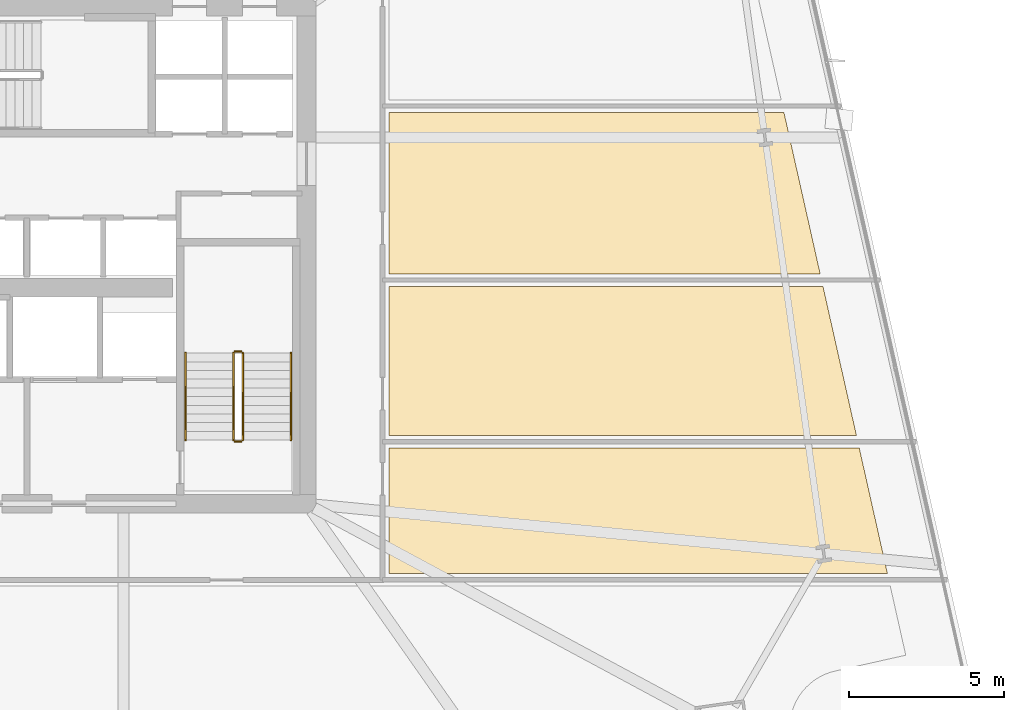
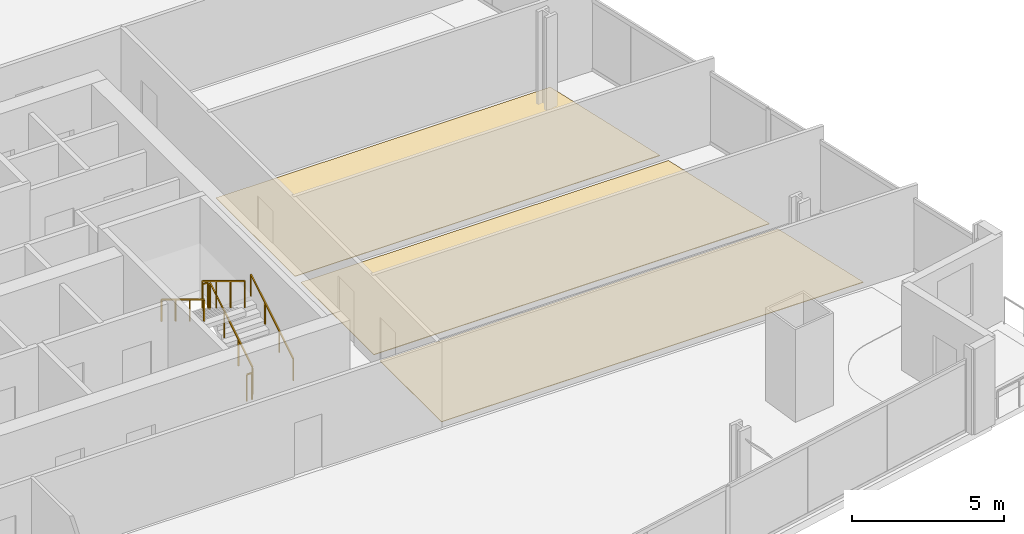
# One storey, part 30 of 32: 6 railings, 3 coverings.
"""IFC4 building model written with IfcOpenShell, lengths in metres."""

from ifc_helpers import new_model, si_unit, direction, frame, origin, origin_2d, place, context, subcontext, project, spatial, polyline, rectangle, outline, extrude, material, layer, layer_set, type_object, element, save


model = new_model("IFC4")

# Units and contexts
model_context = context("Model", 3, precision=1e-05, world=origin(), true_north=direction((0.0, 1.0)))
body_context = subcontext(model_context, "Body", "Model", "MODEL_VIEW")
ifc_project = project(units=[si_unit("LENGTHUNIT", "METRE"), si_unit("AREAUNIT", "SQUARE_METRE"), si_unit("VOLUMEUNIT", "CUBIC_METRE"), si_unit("PLANEANGLEUNIT", "RADIAN"), si_unit("MASSUNIT", "GRAM", prefix="KILO")], contexts=[model_context])

# Site, building, storey
site_placement = place(None, origin())
site = spatial("IfcSite", under=ifc_project, at=site_placement, CompositionType="ELEMENT")
building_placement = place(site_placement, origin())
building = spatial("IfcBuilding", under=site, at=building_placement, Name="Haldenkirk Collegiate Tower", CompositionType="ELEMENT")
storey_placement = place(building_placement, frame((0.0, 0.0, 70.199951171875)))
storey = spatial("IfcBuildingStorey", under=building, at=storey_placement, Name="L16", CompositionType="ELEMENT", Elevation=70.199951171875)

# Coverings
ifc_material_1 = material(Name="Polished collegiate terrazzo", Category="concrete")
ifc_layer_1 = layer(ifc_material_1, 0.02490234375)
ifc_layer_set_1 = layer_set([ifc_layer_1], Name="Polished collegiate terrazzo")
covering_type_1 = type_object("IfcCoveringType", Name="COV-FLOOR-TERRAZZO", PredefinedType="FLOORING", material=ifc_layer_set_1)
covering_1_placement = place(storey_placement, origin())
element("IfcCovering", 1, at=covering_1_placement, inside=storey, type_object=covering_type_1, Name="L16 academic room finish 08", PredefinedType="FLOORING", context=body_context, shape_type="SweptSolid", body=[
    extrude(outline(polyline([(62.6982421875, 20.199951171875), (47.64990234375, 20.199951171875), (47.64990234375, 25.0), (61.620849609375, 25.0), (62.6982421875, 20.199951171875)])), origin(), (0.0, 0.0, 1.0), 0.025146484375),
])
ifc_material_2 = material(Name="Engineered collegiate oak acoustic flooring", Category="wood")
ifc_layer_2 = layer(ifc_material_2, 0.02197265625)
ifc_layer_set_2 = layer_set([ifc_layer_2], Name="Engineered collegiate oak acoustic flooring")
covering_type_2 = type_object("IfcCoveringType", Name="COV-FLOOR-TIMBER", PredefinedType="FLOORING", material=ifc_layer_set_2)
covering_2_placement = place(storey_placement, origin())
element("IfcCovering", 2, at=covering_2_placement, inside=storey, type_object=covering_type_2, Name="L16 academic room finish 07", PredefinedType="FLOORING", context=body_context, shape_type="SweptSolid", body=[
    extrude(outline(polyline([(63.697021484375, 15.75), (47.64990234375, 15.75), (47.64990234375, 19.800048828125), (62.7880859375, 19.800048828125), (63.697021484375, 15.75)])), origin(), (0.0, 0.0, 1.0), 0.02197265625),
])
covering_3_placement = place(storey_placement, origin())
element("IfcCovering", 3, at=covering_3_placement, inside=storey, type_object=covering_type_2, Name="L16 academic room finish 09", PredefinedType="FLOORING", context=body_context, shape_type="SweptSolid", body=[
    extrude(outline(polyline([(61.53125, 25.39990234375), (47.64990234375, 25.39990234375), (47.64990234375, 30.60009765625), (60.364013671875, 30.60009765625), (61.53125, 25.39990234375)])), origin(), (0.0, 0.0, 1.0), 0.02197265625),
])

# Railings
ifc_material_3 = material(Name="Painted architectural tubular steel", Category="steel")
railing_type_1 = type_object("IfcRailingType", Name="RLG-STAIR-GUARD-1100", PredefinedType="BALUSTRADE", material=ifc_material_3)
railing_1_placement = place(storey_placement, frame((42.949951171875, 20.050048828125, 0.17041015625)))
element("IfcRailing", 4, at=railing_1_placement, inside=storey, type_object=railing_type_1, Name="L16 ST-2 stair guard 1", PredefinedType="BALUSTRADE", context=body_context, shape_type="SweptSolid", body=[
    extrude(rectangle(XDim=0.048095703125, YDim=0.048095703125, at=origin_2d()), frame((0.0, 0.0, 1.076171875), z_axis=(0.0, 0.854169791009, 0.51999420009), x_axis=(-1.0, 0.0, 0.0)), (0.0, 0.0, 1.0), 3.278076171875),
    extrude(rectangle(XDim=0.0419921875, YDim=0.0419921875, at=origin_2d()), origin(), (0.0, 0.0, 1.0), 1.052001953125),
    extrude(rectangle(XDim=0.0419921875, YDim=0.0419921875, at=origin_2d()), frame((0.0, 0.933349609375, 0.568115234375)), (0.0, 0.0, 1.0), 1.052001953125),
    extrude(rectangle(XDim=0.0419921875, YDim=0.0419921875, at=origin_2d()), frame((0.0, 1.86669921875, 1.136474609375)), (0.0, 0.0, 1.0), 1.052001953125),
    extrude(rectangle(XDim=0.0419921875, YDim=0.0419921875, at=origin_2d()), frame((0.0, 2.800048828125, 1.70458984375)), (0.0, 0.0, 1.0), 1.052001953125),
])
railing_2_placement = place(storey_placement, frame((42.89990234375, 22.89990234375, 1.875)))
element("IfcRailing", 5, at=railing_2_placement, inside=storey, type_object=railing_type_1, Name="L16 ST-2 stair guard 2", PredefinedType="BALUSTRADE", context=body_context, shape_type="SweptSolid", body=[
    extrude(rectangle(XDim=0.048095703125, YDim=0.048095703125, at=origin_2d()), frame((0.0, 0.0, 1.076171875), z_axis=(-1.0, 0.0, 0.0), x_axis=(0.0, -1.0, 0.0)), (0.0, 0.0, 1.0), 0.199951171875),
    extrude(rectangle(XDim=0.0419921875, YDim=0.0419921875, at=origin_2d()), origin(), (0.0, 0.0, 1.0), 1.052001953125),
    extrude(rectangle(XDim=0.0419921875, YDim=0.0419921875, at=origin_2d()), frame((-0.199951171875, 0.0, 0.0)), (0.0, 0.0, 1.0), 1.052001953125),
])
railing_3_placement = place(storey_placement, frame((42.64990234375, 22.85009765625, 2.04541015625)))
element("IfcRailing", 6, at=railing_3_placement, inside=storey, type_object=railing_type_1, Name="L16 ST-2 stair guard 3", PredefinedType="BALUSTRADE", context=body_context, shape_type="SweptSolid", body=[
    extrude(rectangle(XDim=0.048095703125, YDim=0.048095703125, at=origin_2d()), frame((0.0, 0.0, 1.076171875), z_axis=(0.0, -0.854169791009, 0.51999420009), x_axis=(1.0, 0.0, 0.0)), (0.0, 0.0, 1.0), 3.278076171875),
    extrude(rectangle(XDim=0.0419921875, YDim=0.0419921875, at=origin_2d()), origin(), (0.0, 0.0, 1.0), 1.052001953125),
    extrude(rectangle(XDim=0.0419921875, YDim=0.0419921875, at=origin_2d()), frame((0.0, -0.933349609375, 0.568115234375)), (0.0, 0.0, 1.0), 1.052001953125),
    extrude(rectangle(XDim=0.0419921875, YDim=0.0419921875, at=origin_2d()), frame((0.0, -1.86669921875, 1.136474609375)), (0.0, 0.0, 1.0), 1.052001953125),
    extrude(rectangle(XDim=0.0419921875, YDim=0.0419921875, at=origin_2d()), frame((0.0, -2.800048828125, 1.70458984375)), (0.0, 0.0, 1.0), 1.052001953125),
])
railing_4_placement = place(storey_placement, frame((42.89990234375, 20.0, 0.0)))
element("IfcRailing", 7, at=railing_4_placement, inside=storey, type_object=railing_type_1, Name="L16 ST-2 stair guard 4", PredefinedType="BALUSTRADE", context=body_context, shape_type="SweptSolid", body=[
    extrude(rectangle(XDim=0.048095703125, YDim=0.048095703125, at=origin_2d()), frame((0.0, 0.0, 1.076171875), z_axis=(-1.0, 0.0, 0.0), x_axis=(0.0, -1.0, 0.0)), (0.0, 0.0, 1.0), 0.199951171875),
    extrude(rectangle(XDim=0.0419921875, YDim=0.0419921875, at=origin_2d()), origin(), (0.0, 0.0, 1.0), 1.052001953125),
    extrude(rectangle(XDim=0.0419921875, YDim=0.0419921875, at=origin_2d()), frame((-0.199951171875, 0.0, 0.0)), (0.0, 0.0, 1.0), 1.052001953125),
])
railing_type_2 = type_object("IfcRailingType", Name="RLG-STAIR-HANDRAIL-900", PredefinedType="HANDRAIL", material=ifc_material_3)
railing_5_placement = place(storey_placement, frame((44.5, 20.050048828125, 0.17041015625)))
element("IfcRailing", 8, at=railing_5_placement, inside=storey, type_object=railing_type_2, Name="L16 ST-2 stair handrail 1", PredefinedType="HANDRAIL", context=body_context, shape_type="SweptSolid", body=[
    extrude(rectangle(XDim=0.048095703125, YDim=0.048095703125, at=origin_2d()), frame((0.0, 0.0, 0.8759765625), z_axis=(0.0, 0.854169791009, 0.51999420009), x_axis=(-1.0, 0.0, 0.0)), (0.0, 0.0, 1.0), 3.278076171875),
    extrude(rectangle(XDim=0.0419921875, YDim=0.0419921875, at=origin_2d()), origin(), (0.0, 0.0, 1.0), 0.851806640625),
    extrude(rectangle(XDim=0.0419921875, YDim=0.0419921875, at=origin_2d()), frame((0.0, 0.933349609375, 0.568115234375)), (0.0, 0.0, 1.0), 0.851806640625),
    extrude(rectangle(XDim=0.0419921875, YDim=0.0419921875, at=origin_2d()), frame((0.0, 1.86669921875, 1.136474609375)), (0.0, 0.0, 1.0), 0.851806640625),
    extrude(rectangle(XDim=0.0419921875, YDim=0.0419921875, at=origin_2d()), frame((0.0, 2.800048828125, 1.70458984375)), (0.0, 0.0, 1.0), 0.851806640625),
])
railing_6_placement = place(storey_placement, frame((41.10009765625, 22.85009765625, 2.04541015625)))
element("IfcRailing", 9, at=railing_6_placement, inside=storey, type_object=railing_type_2, Name="L16 ST-2 stair handrail 2", PredefinedType="HANDRAIL", context=body_context, shape_type="SweptSolid", body=[
    extrude(rectangle(XDim=0.048095703125, YDim=0.048095703125, at=origin_2d()), frame((0.0, 0.0, 0.8759765625), z_axis=(0.0, -0.854169791009, 0.51999420009), x_axis=(1.0, 0.0, 0.0)), (0.0, 0.0, 1.0), 3.278076171875),
    extrude(rectangle(XDim=0.0419921875, YDim=0.0419921875, at=origin_2d()), origin(), (0.0, 0.0, 1.0), 0.851806640625),
    extrude(rectangle(XDim=0.0419921875, YDim=0.0419921875, at=origin_2d()), frame((0.0, -0.933349609375, 0.568115234375)), (0.0, 0.0, 1.0), 0.851806640625),
    extrude(rectangle(XDim=0.0419921875, YDim=0.0419921875, at=origin_2d()), frame((0.0, -1.86669921875, 1.136474609375)), (0.0, 0.0, 1.0), 0.851806640625),
    extrude(rectangle(XDim=0.0419921875, YDim=0.0419921875, at=origin_2d()), frame((0.0, -2.800048828125, 1.70458984375)), (0.0, 0.0, 1.0), 0.851806640625),
])

save(model, "model.ifc")
